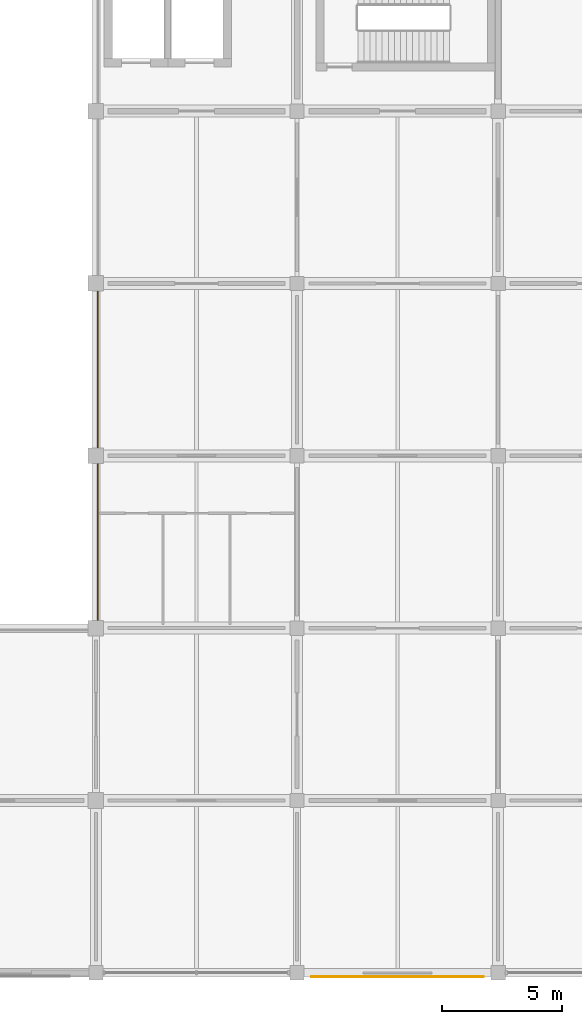
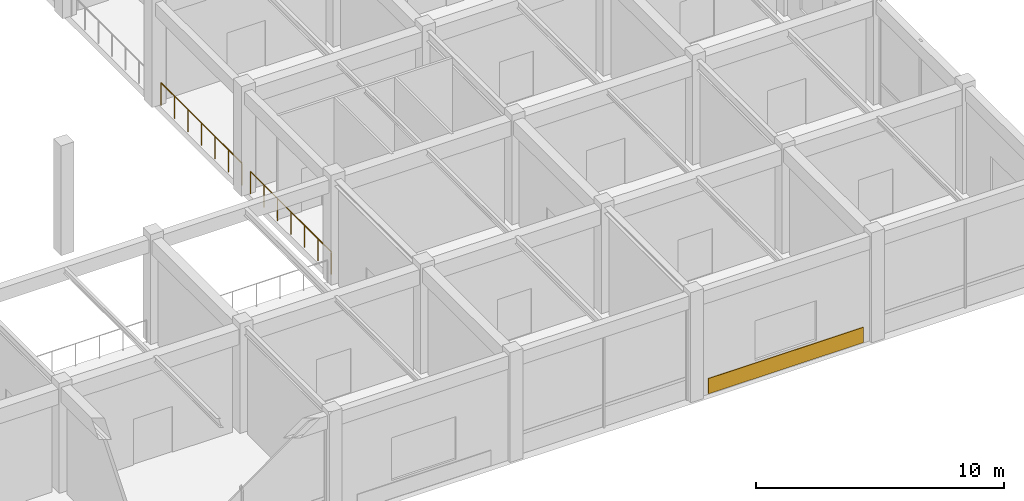
# One storey, part 33 of 38: 2 railings, 1 covering.
"""IFC4 building model written with IfcOpenShell, lengths in metres."""

import ifcopenshell
import ifcopenshell.guid

model = None  # the IFC model being written
_history = None  # IfcOwnerHistory: only IFC2X3 demands one
_inside = {}  # id of a spatial element -> (the spatial element, [elements in it])
_under = {}  # id of a project, library or spatial element -> (it, [spatial elements below it])
_declared = {}  # id of a project -> (the project, [libraries it declares])
_typed = {}  # id of a type object -> (the type object, [elements of that type])
_made_of = {}  # id of a material, layer set ... -> (it, [elements and type objects made of it])


def new_model(schema):
    """Start an empty IFC model of exactly this schema.

    Asked for "IFC4X3", IfcOpenShell would pick the latest addendum, in which some entities
    have other attributes; the version numbers below select the first issue.
    IFC2X3 requires an IfcOwnerHistory on every rooted entity: one is made here for all.
    """
    global model, _history
    if schema == "IFC4X3":
        model = ifcopenshell.file(schema_version=(4, 3, 0, 0))
    else:
        model = ifcopenshell.file(schema=schema)
    _inside.clear()
    _under.clear()
    _declared.clear()
    _typed.clear()
    _made_of.clear()
    _history = None
    if model.schema == "IFC2X3":
        org = make("IfcOrganization", Name="unknown")
        user = make(
            "IfcPersonAndOrganization",
            ThePerson=make("IfcPerson", FamilyName="unknown"),
            TheOrganization=org,
        )
        app = make(
            "IfcApplication",
            ApplicationDeveloper=org,
            Version="unknown",
            ApplicationFullName="unknown",
            ApplicationIdentifier="unknown",
        )
        _history = make(
            "IfcOwnerHistory",
            OwningUser=user,
            OwningApplication=app,
            ChangeAction="ADDED",
            CreationDate=0,
        )
    return model


def make(cls, **values):
    """One entity of the class cls with the attributes given. An attribute that is None is left unset."""
    return model.create_entity(
        cls, **{name: value for name, value in values.items() if value is not None}
    )


def rooted(cls, **values):
    """An entity with a GlobalId (a new one), such as an element, a storey or a relation."""
    return make(cls, GlobalId=ifcopenshell.guid.new(), OwnerHistory=_history, **values)


def si_unit(unit_type, name, prefix=None):
    """IfcSIUnit, for example si_unit("LENGTHUNIT", "METRE", prefix="MILLI")."""
    return make("IfcSIUnit", UnitType=unit_type, Prefix=prefix, Name=name)


def derived_unit(unit_type, elements):
    """IfcDerivedUnit: a product of units, each with its exponent."""
    return make(
        "IfcDerivedUnit",
        Elements=[
            make("IfcDerivedUnitElement", Unit=unit, Exponent=power)
            for unit, power in elements
        ],
        UnitType=unit_type,
    )


def assignment(units):
    """IfcUnitAssignment: the units of a project."""
    return None if units is None else make("IfcUnitAssignment", Units=units)


def point(xyz):
    """IfcCartesianPoint."""
    return None if xyz is None else make("IfcCartesianPoint", Coordinates=xyz)


def direction(xyz):
    """IfcDirection."""
    return None if xyz is None else make("IfcDirection", DirectionRatios=xyz)


def frame(location, z_axis=None, x_axis=None):
    """IfcAxis2Placement3D, a coordinate frame: its origin and axes. An axis left out is left unset."""
    return make(
        "IfcAxis2Placement3D",
        Location=point(location),
        Axis=direction(z_axis),
        RefDirection=direction(x_axis),
    )


def frame_2d(location, x_axis=None):
    """IfcAxis2Placement2D, a coordinate frame in the plane: its origin and x axis."""
    return make(
        "IfcAxis2Placement2D", Location=point(location), RefDirection=direction(x_axis)
    )


def origin():
    """The frame at (0, 0, 0) with its axes left unset."""
    return frame((0.0, 0.0, 0.0))


def origin_2d():
    """The frame at (0, 0) in the plane with its x axis left unset."""
    return frame_2d((0.0, 0.0))


def place(relative_to, where):
    """IfcLocalPlacement: puts the frame where relative to a parent placement (None: the world)."""
    return make(
        "IfcLocalPlacement", PlacementRelTo=relative_to, RelativePlacement=where
    )


def context(
    kind, dimensions, precision=None, world=None, true_north=None, identifier=None
):
    """IfcGeometricRepresentationContext, for example the 3D "Model" context."""
    return make(
        "IfcGeometricRepresentationContext",
        ContextIdentifier=identifier,
        ContextType=kind,
        CoordinateSpaceDimension=dimensions,
        Precision=precision,
        WorldCoordinateSystem=world,
        TrueNorth=true_north,
    )


def subcontext(parent, identifier, kind, view, scale=None):
    """IfcGeometricRepresentationSubContext, for example "Body" below "Model"."""
    return make(
        "IfcGeometricRepresentationSubContext",
        ContextIdentifier=identifier,
        ContextType=kind,
        ParentContext=parent,
        TargetScale=scale,
        TargetView=view,
    )


def project(units=None, contexts=None):
    """IfcProject with its units and contexts."""
    return rooted(
        "IfcProject",
        Name="project",
        RepresentationContexts=contexts,
        UnitsInContext=assignment(units),
    )


def spatial(cls, under=None, at=None, **own):
    """A site, building, storey or space (cls), placed at a placement, below another one or the project."""
    s = rooted(cls, ObjectPlacement=at, **own)
    if under is not None:
        _under.setdefault(under.id(), (under, []))[1].append(s)
    return s


def profile(cls, at=None, kind="AREA", **sizes):
    """A parametric profile (cls). Its sizes go by their IFC names, for example OverallWidth=200.0."""
    return make(cls, ProfileType=kind, Position=at, **sizes)


def rectangle(**sizes):
    """IfcRectangleProfileDef."""
    return profile("IfcRectangleProfileDef", **sizes)


def circle(**sizes):
    """IfcCircleProfileDef."""
    return profile("IfcCircleProfileDef", **sizes)


def extrude(swept, where, along, depth):
    """IfcExtrudedAreaSolid: the profile swept, set in the frame where, extruded along a direction by depth."""
    return make(
        "IfcExtrudedAreaSolid",
        SweptArea=swept,
        Position=where,
        ExtrudedDirection=direction(along),
        Depth=depth,
    )


def shape(context_of_items, identifier, shape_type, items):
    """IfcShapeRepresentation: the items that make up one representation, for example the "Body"."""
    return make(
        "IfcShapeRepresentation",
        ContextOfItems=context_of_items,
        RepresentationIdentifier=identifier,
        RepresentationType=shape_type,
        Items=items,
    )


def material(Name=None, Category=None):
    """IfcMaterial."""
    return make("IfcMaterial", Name=Name, Category=Category)


def layer(
    of_material, thickness, ventilated=None, Name=None, Category=None, Priority=None
):
    """IfcMaterialLayer: one layer of a wall or slab, of a material (None: an air gap)."""
    return make(
        "IfcMaterialLayer",
        Material=of_material,
        LayerThickness=thickness,
        IsVentilated=ventilated,
        Name=Name,
        Category=Category,
        Priority=Priority,
    )


def layer_set(layers, Name=None):
    """IfcMaterialLayerSet."""
    return make("IfcMaterialLayerSet", MaterialLayers=layers, LayerSetName=Name)


def made_of(thing, what):
    """Note that an element or type object is made of a material, layer set ...; save() writes the relation."""
    if what is not None:
        _made_of.setdefault(what.id(), (what, []))[1].append(thing)
    return thing


def type_object(cls, material=None, **own):
    """A type object (cls), such as IfcWallType, which elements share."""
    return made_of(rooted(cls, **own), material)


def element(
    cls,
    number,
    at=None,
    inside=None,
    cuts=None,
    type_object=None,
    material=None,
    context=None,
    identifier="Body",
    shape_type=None,
    held_by="IfcProductDefinitionShape",
    body=None,
    shapes=None,
    **own,
):
    """One element of the class cls, such as IfcWall. Its Tag is "e" and its number.

    at: its placement. inside: the storey or other place that contains it. cuts: it is an
    opening in that element (IfcRelVoidsElement). A single representation is given by context,
    identifier, shape_type and body (its items); several are given by shapes. held_by: the class
    of the entity that holds the representations. save() writes the other relations.
    """
    e = rooted(cls, Tag="e%d" % number, ObjectPlacement=at, **own)
    if body is not None:
        shapes = [shape(context, identifier, shape_type, body)]
    if shapes is not None:
        e.Representation = make(held_by, Representations=shapes)
    if inside is not None:
        _inside.setdefault(inside.id(), (inside, []))[1].append(e)
    if cuts is not None:
        rooted(
            "IfcRelVoidsElement", RelatingBuildingElement=cuts, RelatedOpeningElement=e
        )
    if type_object is not None:
        _typed.setdefault(type_object.id(), (type_object, []))[1].append(e)
    return made_of(e, material)


def aggregate(whole, parts):
    """IfcRelAggregates: a whole, such as a stair, and the parts it consists of."""
    return rooted("IfcRelAggregates", RelatingObject=whole, RelatedObjects=parts)


def save(model, path):
    """Write the relations noted so far, then the file.

    IfcRelAggregates (storeys below a building ...), IfcRelContainedInSpatialStructure (elements
    in a storey), IfcRelDefinesByType, IfcRelAssociatesMaterial and IfcRelDeclares: one each for
    every whole, place, type object, material and project.
    """
    for whole, parts in _under.values():
        aggregate(whole, parts)
    for where, things in _inside.values():
        rooted(
            "IfcRelContainedInSpatialStructure",
            RelatedElements=things,
            RelatingStructure=where,
        )
    for kind, things in _typed.values():
        rooted("IfcRelDefinesByType", RelatedObjects=things, RelatingType=kind)
    for what, things in _made_of.values():
        rooted("IfcRelAssociatesMaterial", RelatedObjects=things, RelatingMaterial=what)
    for by, libraries in _declared.values():
        rooted("IfcRelDeclares", RelatingContext=by, RelatedDefinitions=libraries)
    model.write(path)


model = new_model("IFC4")

# Units and contexts
model_context = context("Model", 3, precision=1e-05, world=origin(), true_north=direction((0.0, 1.0)))
body_context = subcontext(model_context, "Body", "Model", "MODEL_VIEW")
ifc_project = project(units=[si_unit("LENGTHUNIT", "METRE"), si_unit("AREAUNIT", "SQUARE_METRE"), si_unit("VOLUMEUNIT", "CUBIC_METRE"), si_unit("PLANEANGLEUNIT", "RADIAN"), si_unit("MASSUNIT", "GRAM", prefix="KILO"), derived_unit("THERMALTRANSMITTANCEUNIT", [(si_unit("MASSUNIT", "GRAM", prefix="KILO"), 1), (si_unit("TIMEUNIT", "SECOND"), -3), (si_unit("THERMODYNAMICTEMPERATUREUNIT", "KELVIN"), -1)])], contexts=[model_context])

# Site, building, storey
site_placement = place(None, origin())
site = spatial("IfcSite", under=ifc_project, at=site_placement, CompositionType="ELEMENT")
building_placement = place(site_placement, origin())
building = spatial("IfcBuilding", under=site, at=building_placement, Name="Veldstrom Oceanarium and Marine Research Institute", CompositionType="ELEMENT")
storey_placement = place(building_placement, frame((0.0, 0.0, 11.39990234375)))
storey = spatial("IfcBuildingStorey", under=building, at=storey_placement, Name="L02", CompositionType="ELEMENT", Elevation=11.39990234375)

# Covering
ifc_material_1 = material(Name="Anodised Aluminium Spandrel Rainscreen Cladding", Category="aluminium")
ifc_layer_1 = layer(ifc_material_1, 0.75)
ifc_layer_set_1 = layer_set([ifc_layer_1], Name="ARC-COV-CD1")
covering_type = type_object("IfcCoveringType", Name="ARC-COV-CD1", PredefinedType="CLADDING", material=ifc_layer_set_1)
covering_placement = place(storey_placement, frame((54.60009765625, -0.158447265625, 0.045166015625), z_axis=(0.0, 0.0, 1.0), x_axis=(1.0, 0.0, 0.0)))
element("IfcCovering", 1, at=covering_placement, inside=storey, type_object=covering_type, Name="Spandrel Rainscreen Cladding L02-070", PredefinedType="CLADDING", context=body_context, shape_type="SweptSolid", body=[
    extrude(rectangle(XDim=7.199951171875, YDim=0.034912109375, at=origin_2d()), origin(), (0.0, 0.0, 1.0), 0.75),
])

# Railings
ifc_material_2 = material(Name="Duplex Stainless Steel Balustrade", Category="steel")
ifc_layer_2 = layer(ifc_material_2, 0.06005859375)
ifc_layer_set_2 = layer_set([ifc_layer_2], Name="ARC-RLG-GR1")
railing_type = type_object("IfcRailingType", Name="ARC-RLG-GR1", PredefinedType="GUARDRAIL", material=ifc_layer_set_2)
for number, where, name in (
    (2, (42.080078125, 14.75, 0.0), "Atrium Overlook Guardrail GR-ATR-L02-16"),
    (3, (42.080078125, 21.949951171875, 0.0), "Atrium Overlook Guardrail GR-ATR-L02-17"),
):
    element("IfcRailing", number, at=place(storey_placement, frame(where)), inside=storey, type_object=railing_type, Name=name, PredefinedType="GUARDRAIL", context=body_context, shape_type="SweptSolid", body=[
        extrude(circle(Radius=0.02392578125, at=origin_2d()), frame((0.0, 0.0, 1.09619140625), z_axis=(0.0, 1.0, 0.0), x_axis=(-1.0, 0.0, 0.0)), (0.0, 0.0, 1.0), 6.5),
        extrude(circle(Radius=0.02099609375, at=origin_2d()), origin(), (0.0, 0.0, 1.0), 1.072021484375),
        extrude(circle(Radius=0.02099609375, at=origin_2d()), frame((0.0, 1.083251953125, 0.0)), (0.0, 0.0, 1.0), 1.072021484375),
        extrude(circle(Radius=0.02099609375, at=origin_2d()), frame((0.0, 2.166748046875, 0.0)), (0.0, 0.0, 1.0), 1.072021484375),
        extrude(circle(Radius=0.02099609375, at=origin_2d()), frame((0.0, 3.25, 0.0)), (0.0, 0.0, 1.0), 1.072021484375),
        extrude(circle(Radius=0.02099609375, at=origin_2d()), frame((0.0, 4.333251953125, 0.0)), (0.0, 0.0, 1.0), 1.072021484375),
        extrude(circle(Radius=0.02099609375, at=origin_2d()), frame((0.0, 5.416748046875, 0.0)), (0.0, 0.0, 1.0), 1.072021484375),
        extrude(circle(Radius=0.02099609375, at=origin_2d()), frame((0.0, 6.5, 0.0)), (0.0, 0.0, 1.0), 1.072021484375),
    ])

save(model, "model.ifc")
